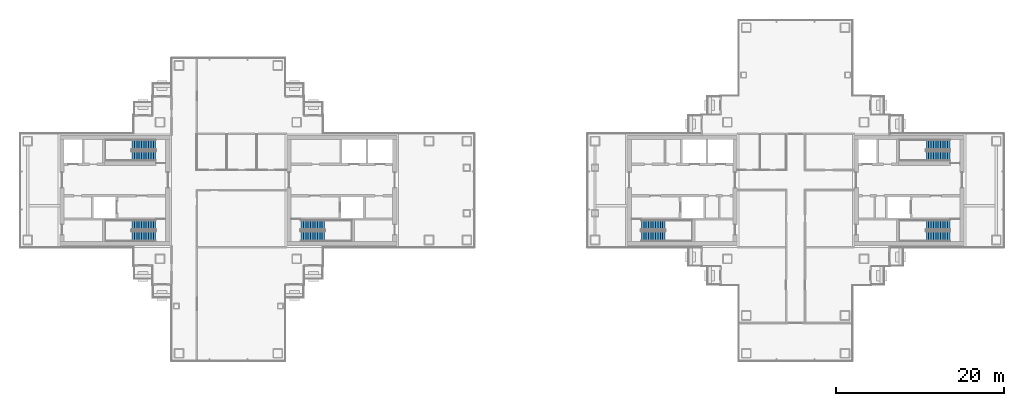
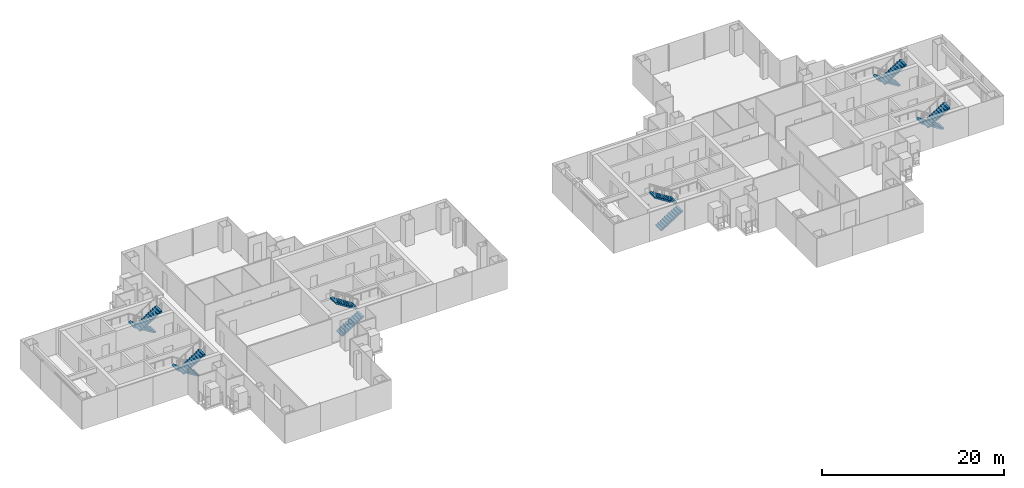
# One storey, part 14 of 17: 12 stair flights, 6 elements without a shape of their own.
"""IFC4 building model written with IfcOpenShell, lengths in metres."""

import ifcopenshell
import ifcopenshell.guid

model = None  # the IFC model being written
_history = None  # IfcOwnerHistory: only IFC2X3 demands one
_inside = {}  # id of a spatial element -> (the spatial element, [elements in it])
_under = {}  # id of a project, library or spatial element -> (it, [spatial elements below it])
_declared = {}  # id of a project -> (the project, [libraries it declares])
_typed = {}  # id of a type object -> (the type object, [elements of that type])
_made_of = {}  # id of a material, layer set ... -> (it, [elements and type objects made of it])


def new_model(schema):
    """Start an empty IFC model of exactly this schema.

    Asked for "IFC4X3", IfcOpenShell would pick the latest addendum, in which some entities
    have other attributes; the version numbers below select the first issue.
    IFC2X3 requires an IfcOwnerHistory on every rooted entity: one is made here for all.
    """
    global model, _history
    if schema == "IFC4X3":
        model = ifcopenshell.file(schema_version=(4, 3, 0, 0))
    else:
        model = ifcopenshell.file(schema=schema)
    _inside.clear()
    _under.clear()
    _declared.clear()
    _typed.clear()
    _made_of.clear()
    _history = None
    if model.schema == "IFC2X3":
        org = make("IfcOrganization", Name="unknown")
        user = make(
            "IfcPersonAndOrganization",
            ThePerson=make("IfcPerson", FamilyName="unknown"),
            TheOrganization=org,
        )
        app = make(
            "IfcApplication",
            ApplicationDeveloper=org,
            Version="unknown",
            ApplicationFullName="unknown",
            ApplicationIdentifier="unknown",
        )
        _history = make(
            "IfcOwnerHistory",
            OwningUser=user,
            OwningApplication=app,
            ChangeAction="ADDED",
            CreationDate=0,
        )
    return model


def make(cls, **values):
    """One entity of the class cls with the attributes given. An attribute that is None is left unset."""
    return model.create_entity(
        cls, **{name: value for name, value in values.items() if value is not None}
    )


def rooted(cls, **values):
    """An entity with a GlobalId (a new one), such as an element, a storey or a relation."""
    return make(cls, GlobalId=ifcopenshell.guid.new(), OwnerHistory=_history, **values)


def si_unit(unit_type, name, prefix=None):
    """IfcSIUnit, for example si_unit("LENGTHUNIT", "METRE", prefix="MILLI")."""
    return make("IfcSIUnit", UnitType=unit_type, Prefix=prefix, Name=name)


def assignment(units):
    """IfcUnitAssignment: the units of a project."""
    return None if units is None else make("IfcUnitAssignment", Units=units)


def point(xyz):
    """IfcCartesianPoint."""
    return None if xyz is None else make("IfcCartesianPoint", Coordinates=xyz)


def direction(xyz):
    """IfcDirection."""
    return None if xyz is None else make("IfcDirection", DirectionRatios=xyz)


def frame(location, z_axis=None, x_axis=None):
    """IfcAxis2Placement3D, a coordinate frame: its origin and axes. An axis left out is left unset."""
    return make(
        "IfcAxis2Placement3D",
        Location=point(location),
        Axis=direction(z_axis),
        RefDirection=direction(x_axis),
    )


def origin():
    """The frame at (0, 0, 0) with its axes left unset."""
    return frame((0.0, 0.0, 0.0))


def place(relative_to, where):
    """IfcLocalPlacement: puts the frame where relative to a parent placement (None: the world)."""
    return make(
        "IfcLocalPlacement", PlacementRelTo=relative_to, RelativePlacement=where
    )


def context(
    kind, dimensions, precision=None, world=None, true_north=None, identifier=None
):
    """IfcGeometricRepresentationContext, for example the 3D "Model" context."""
    return make(
        "IfcGeometricRepresentationContext",
        ContextIdentifier=identifier,
        ContextType=kind,
        CoordinateSpaceDimension=dimensions,
        Precision=precision,
        WorldCoordinateSystem=world,
        TrueNorth=true_north,
    )


def subcontext(parent, identifier, kind, view, scale=None):
    """IfcGeometricRepresentationSubContext, for example "Body" below "Model"."""
    return make(
        "IfcGeometricRepresentationSubContext",
        ContextIdentifier=identifier,
        ContextType=kind,
        ParentContext=parent,
        TargetScale=scale,
        TargetView=view,
    )


def project(units=None, contexts=None):
    """IfcProject with its units and contexts."""
    return rooted(
        "IfcProject",
        Name="project",
        RepresentationContexts=contexts,
        UnitsInContext=assignment(units),
    )


def spatial(cls, under=None, at=None, **own):
    """A site, building, storey or space (cls), placed at a placement, below another one or the project."""
    s = rooted(cls, ObjectPlacement=at, **own)
    if under is not None:
        _under.setdefault(under.id(), (under, []))[1].append(s)
    return s


def polyline(points):
    """IfcPolyline through the points."""
    return make("IfcPolyline", Points=[point(p) for p in points])


def outline(outer, holes=None, kind="AREA"):
    """IfcArbitraryClosedProfileDef: a profile drawn as a closed curve; with holes, ...WithVoids."""
    if holes is None:
        return make("IfcArbitraryClosedProfileDef", ProfileType=kind, OuterCurve=outer)
    return make(
        "IfcArbitraryProfileDefWithVoids",
        ProfileType=kind,
        OuterCurve=outer,
        InnerCurves=holes,
    )


def extrude(swept, where, along, depth):
    """IfcExtrudedAreaSolid: the profile swept, set in the frame where, extruded along a direction by depth."""
    return make(
        "IfcExtrudedAreaSolid",
        SweptArea=swept,
        Position=where,
        ExtrudedDirection=direction(along),
        Depth=depth,
    )


def shape(context_of_items, identifier, shape_type, items):
    """IfcShapeRepresentation: the items that make up one representation, for example the "Body"."""
    return make(
        "IfcShapeRepresentation",
        ContextOfItems=context_of_items,
        RepresentationIdentifier=identifier,
        RepresentationType=shape_type,
        Items=items,
    )


def material(Name=None, Category=None):
    """IfcMaterial."""
    return make("IfcMaterial", Name=Name, Category=Category)


def made_of(thing, what):
    """Note that an element or type object is made of a material, layer set ...; save() writes the relation."""
    if what is not None:
        _made_of.setdefault(what.id(), (what, []))[1].append(thing)
    return thing


def type_object(cls, material=None, **own):
    """A type object (cls), such as IfcWallType, which elements share."""
    return made_of(rooted(cls, **own), material)


def element(
    cls,
    number,
    at=None,
    inside=None,
    cuts=None,
    type_object=None,
    material=None,
    context=None,
    identifier="Body",
    shape_type=None,
    held_by="IfcProductDefinitionShape",
    body=None,
    shapes=None,
    **own,
):
    """One element of the class cls, such as IfcWall. Its Tag is "e" and its number.

    at: its placement. inside: the storey or other place that contains it. cuts: it is an
    opening in that element (IfcRelVoidsElement). A single representation is given by context,
    identifier, shape_type and body (its items); several are given by shapes. held_by: the class
    of the entity that holds the representations. save() writes the other relations.
    """
    e = rooted(cls, Tag="e%d" % number, ObjectPlacement=at, **own)
    if body is not None:
        shapes = [shape(context, identifier, shape_type, body)]
    if shapes is not None:
        e.Representation = make(held_by, Representations=shapes)
    if inside is not None:
        _inside.setdefault(inside.id(), (inside, []))[1].append(e)
    if cuts is not None:
        rooted(
            "IfcRelVoidsElement", RelatingBuildingElement=cuts, RelatedOpeningElement=e
        )
    if type_object is not None:
        _typed.setdefault(type_object.id(), (type_object, []))[1].append(e)
    return made_of(e, material)


def aggregate(whole, parts):
    """IfcRelAggregates: a whole, such as a stair, and the parts it consists of."""
    return rooted("IfcRelAggregates", RelatingObject=whole, RelatedObjects=parts)


def save(model, path):
    """Write the relations noted so far, then the file.

    IfcRelAggregates (storeys below a building ...), IfcRelContainedInSpatialStructure (elements
    in a storey), IfcRelDefinesByType, IfcRelAssociatesMaterial and IfcRelDeclares: one each for
    every whole, place, type object, material and project.
    """
    for whole, parts in _under.values():
        aggregate(whole, parts)
    for where, things in _inside.values():
        rooted(
            "IfcRelContainedInSpatialStructure",
            RelatedElements=things,
            RelatingStructure=where,
        )
    for kind, things in _typed.values():
        rooted("IfcRelDefinesByType", RelatedObjects=things, RelatingType=kind)
    for what, things in _made_of.values():
        rooted("IfcRelAssociatesMaterial", RelatedObjects=things, RelatingMaterial=what)
    for by, libraries in _declared.values():
        rooted("IfcRelDeclares", RelatingContext=by, RelatedDefinitions=libraries)
    model.write(path)


model = new_model("IFC4")

# Units and contexts
model_context = context("Model", 3, precision=1e-05, world=origin(), true_north=direction((0.0, 1.0)))
body_context = subcontext(model_context, "Body", "Model", "MODEL_VIEW")
ifc_project = project(units=[si_unit("LENGTHUNIT", "METRE"), si_unit("AREAUNIT", "SQUARE_METRE"), si_unit("VOLUMEUNIT", "CUBIC_METRE"), si_unit("PLANEANGLEUNIT", "RADIAN"), si_unit("MASSUNIT", "GRAM", prefix="KILO")], contexts=[model_context])

# Site, building, storey
site_placement = place(None, origin())
site = spatial("IfcSite", under=ifc_project, at=site_placement, CompositionType="ELEMENT")
building_placement = place(site_placement, origin())
building = spatial("IfcBuilding", under=site, at=building_placement, Name="Shamsa Quay Exchange Towers", CompositionType="ELEMENT")
storey_placement = place(building_placement, frame((0.0, 0.0, 174.0)))
storey = spatial("IfcBuildingStorey", under=building, at=storey_placement, Name="L41", CompositionType="ELEMENT", Elevation=174.0)

# Stair, stair flights
ifc_material = material(Name="Concrete C40/50", Category="concrete")
stair_type = type_object("IfcStairType", Name="EXIT STAIR 22 RISERS 177 MM", PredefinedType="HALF_TURN_STAIR", material=ifc_material)
stair_1_placement = place(storey_placement, origin())
stair_1 = element("IfcStair", 1, at=stair_1_placement, inside=storey, type_object=stair_type, Name="L41 Exit stair ST1", PredefinedType="HALF_TURN_STAIR")
stair_flight_type = type_object("IfcStairFlightType", Name="EXIT STAIR FLIGHT 11 RISERS 177 MM", PredefinedType="STRAIGHT", material=ifc_material)
stair_flight_1_placement = place(storey_placement, frame((-25.10009765625, -5.449951171875, 0.0)))
stair_flight_1 = element("IfcStairFlight", 2, at=stair_flight_1_placement, type_object=stair_flight_type, Name="ST1 flight 1", NumberOfRisers=11, NumberOfTreads=10, PredefinedType="STRAIGHT", RiserHeight=0.177272727, TreadLength=0.28, context=body_context, shape_type="SweptSolid", body=[
    extrude(outline(polyline([(0.0, 0.0), (0.0, 0.17724609375), (0.280029296875, 0.17724609375), (0.280029296875, 0.3544921875), (0.56005859375, 0.3544921875), (0.56005859375, 0.53173828125), (0.840087890625, 0.53173828125), (0.840087890625, 0.708984375), (1.1201171875, 0.708984375), (1.1201171875, 0.886474609375), (1.39990234375, 0.886474609375), (1.39990234375, 1.063720703125), (1.679931640625, 1.063720703125), (1.679931640625, 1.240966796875), (1.9599609375, 1.240966796875), (1.9599609375, 1.418212890625), (2.239990234375, 1.418212890625), (2.239990234375, 1.595458984375), (2.52001953125, 1.595458984375), (2.52001953125, 1.772705078125), (2.800048828125, 1.772705078125), (2.800048828125, 1.949951171875), (2.800048828125, 1.607177734375), (0.261474609375, 0.0), (0.0, 0.0)])), frame((0.0, 0.60009765625, 0.0), z_axis=(0.0, -1.0, 0.0), x_axis=(1.0, 0.0, 0.0)), (0.0, 0.0, 1.0), 1.199951171875),
])
stair_flight_2_placement = place(storey_placement, frame((-22.300048828125, -4.10009765625, 1.949951171875), z_axis=(0.0, 0.0, 1.0), x_axis=(-1.0, 0.0, 0.0)))
stair_flight_2 = element("IfcStairFlight", 3, at=stair_flight_2_placement, type_object=stair_flight_type, Name="ST1 flight 2", NumberOfRisers=11, NumberOfTreads=10, PredefinedType="STRAIGHT", RiserHeight=0.177272727, TreadLength=0.28, context=body_context, shape_type="SweptSolid", body=[
    extrude(outline(polyline([(0.0, 0.0), (0.0, 0.17724609375), (0.280029296875, 0.17724609375), (0.280029296875, 0.3544921875), (0.56005859375, 0.3544921875), (0.56005859375, 0.53173828125), (0.840087890625, 0.53173828125), (0.840087890625, 0.708984375), (1.1201171875, 0.708984375), (1.1201171875, 0.886474609375), (1.39990234375, 0.886474609375), (1.39990234375, 1.063720703125), (1.679931640625, 1.063720703125), (1.679931640625, 1.240966796875), (1.9599609375, 1.240966796875), (1.9599609375, 1.418212890625), (2.239990234375, 1.418212890625), (2.239990234375, 1.595458984375), (2.52001953125, 1.595458984375), (2.52001953125, 1.772705078125), (2.800048828125, 1.772705078125), (2.800048828125, 1.949951171875), (2.800048828125, 1.607177734375), (0.261474609375, 0.0), (0.0, 0.0)])), frame((0.0, 0.60009765625, 0.0), z_axis=(0.0, -1.0, 0.0), x_axis=(1.0, 0.0, 0.0)), (0.0, 0.0, 1.0), 1.199951171875),
])
aggregate(stair_1, [stair_flight_1, stair_flight_2])

stair_2_placement = place(storey_placement, origin())
stair_2 = element("IfcStair", 4, at=stair_2_placement, inside=storey, type_object=stair_type, Name="L41 Exit stair ST2", PredefinedType="HALF_TURN_STAIR")
stair_flight_3_placement = place(storey_placement, frame((-42.39990234375, -4.10009765625, 0.0), z_axis=(0.0, 0.0, 1.0), x_axis=(-1.0, 0.0, 0.0)))
stair_flight_3 = element("IfcStairFlight", 5, at=stair_flight_3_placement, type_object=stair_flight_type, Name="ST2 flight 1", NumberOfRisers=11, NumberOfTreads=10, PredefinedType="STRAIGHT", RiserHeight=0.177272727, TreadLength=0.28, context=body_context, shape_type="SweptSolid", body=[
    extrude(outline(polyline([(0.0, 0.0), (0.0, 0.17724609375), (0.280029296875, 0.17724609375), (0.280029296875, 0.3544921875), (0.56005859375, 0.3544921875), (0.56005859375, 0.53173828125), (0.840087890625, 0.53173828125), (0.840087890625, 0.708984375), (1.1201171875, 0.708984375), (1.1201171875, 0.886474609375), (1.39990234375, 0.886474609375), (1.39990234375, 1.063720703125), (1.679931640625, 1.063720703125), (1.679931640625, 1.240966796875), (1.9599609375, 1.240966796875), (1.9599609375, 1.418212890625), (2.239990234375, 1.418212890625), (2.239990234375, 1.595458984375), (2.52001953125, 1.595458984375), (2.52001953125, 1.772705078125), (2.800048828125, 1.772705078125), (2.800048828125, 1.949951171875), (2.800048828125, 1.607177734375), (0.261474609375, 0.0), (0.0, 0.0)])), frame((0.0, 0.60009765625, 0.0), z_axis=(0.0, -1.0, 0.0), x_axis=(1.0, 0.0, 0.0)), (0.0, 0.0, 1.0), 1.199951171875),
])
stair_flight_4_placement = place(storey_placement, frame((-45.199951171875, -5.449951171875, 1.949951171875)))
stair_flight_4 = element("IfcStairFlight", 6, at=stair_flight_4_placement, type_object=stair_flight_type, Name="ST2 flight 2", NumberOfRisers=11, NumberOfTreads=10, PredefinedType="STRAIGHT", RiserHeight=0.177272727, TreadLength=0.28, context=body_context, shape_type="SweptSolid", body=[
    extrude(outline(polyline([(0.0, 0.0), (0.0, 0.17724609375), (0.280029296875, 0.17724609375), (0.280029296875, 0.3544921875), (0.56005859375, 0.3544921875), (0.56005859375, 0.53173828125), (0.840087890625, 0.53173828125), (0.840087890625, 0.708984375), (1.1201171875, 0.708984375), (1.1201171875, 0.886474609375), (1.39990234375, 0.886474609375), (1.39990234375, 1.063720703125), (1.679931640625, 1.063720703125), (1.679931640625, 1.240966796875), (1.9599609375, 1.240966796875), (1.9599609375, 1.418212890625), (2.239990234375, 1.418212890625), (2.239990234375, 1.595458984375), (2.52001953125, 1.595458984375), (2.52001953125, 1.772705078125), (2.800048828125, 1.772705078125), (2.800048828125, 1.949951171875), (2.800048828125, 1.607177734375), (0.261474609375, 0.0), (0.0, 0.0)])), frame((0.0, 0.60009765625, 0.0), z_axis=(0.0, -1.0, 0.0), x_axis=(1.0, 0.0, 0.0)), (0.0, 0.0, 1.0), 1.199951171875),
])
aggregate(stair_2, [stair_flight_3, stair_flight_4])

stair_3_placement = place(storey_placement, origin())
stair_3 = element("IfcStair", 7, at=stair_3_placement, inside=storey, type_object=stair_type, Name="L41 Exit stair ST3", PredefinedType="HALF_TURN_STAIR")
stair_flight_5_placement = place(storey_placement, frame((-42.39990234375, 5.449951171875, 0.0), z_axis=(0.0, 0.0, 1.0), x_axis=(-1.0, 0.0, 0.0)))
stair_flight_5 = element("IfcStairFlight", 8, at=stair_flight_5_placement, type_object=stair_flight_type, Name="ST3 flight 1", NumberOfRisers=11, NumberOfTreads=10, PredefinedType="STRAIGHT", RiserHeight=0.177272727, TreadLength=0.28, context=body_context, shape_type="SweptSolid", body=[
    extrude(outline(polyline([(0.0, 0.0), (0.0, 0.17724609375), (0.280029296875, 0.17724609375), (0.280029296875, 0.3544921875), (0.56005859375, 0.3544921875), (0.56005859375, 0.53173828125), (0.840087890625, 0.53173828125), (0.840087890625, 0.708984375), (1.1201171875, 0.708984375), (1.1201171875, 0.886474609375), (1.39990234375, 0.886474609375), (1.39990234375, 1.063720703125), (1.679931640625, 1.063720703125), (1.679931640625, 1.240966796875), (1.9599609375, 1.240966796875), (1.9599609375, 1.418212890625), (2.239990234375, 1.418212890625), (2.239990234375, 1.595458984375), (2.52001953125, 1.595458984375), (2.52001953125, 1.772705078125), (2.800048828125, 1.772705078125), (2.800048828125, 1.949951171875), (2.800048828125, 1.607177734375), (0.261474609375, 0.0), (0.0, 0.0)])), frame((0.0, 0.60009765625, 0.0), z_axis=(0.0, -1.0, 0.0), x_axis=(1.0, 0.0, 0.0)), (0.0, 0.0, 1.0), 1.199951171875),
])
stair_flight_6_placement = place(storey_placement, frame((-45.199951171875, 4.10009765625, 1.949951171875)))
stair_flight_6 = element("IfcStairFlight", 9, at=stair_flight_6_placement, type_object=stair_flight_type, Name="ST3 flight 2", NumberOfRisers=11, NumberOfTreads=10, PredefinedType="STRAIGHT", RiserHeight=0.177272727, TreadLength=0.28, context=body_context, shape_type="SweptSolid", body=[
    extrude(outline(polyline([(0.0, 0.0), (0.0, 0.17724609375), (0.280029296875, 0.17724609375), (0.280029296875, 0.3544921875), (0.56005859375, 0.3544921875), (0.56005859375, 0.53173828125), (0.840087890625, 0.53173828125), (0.840087890625, 0.708984375), (1.1201171875, 0.708984375), (1.1201171875, 0.886474609375), (1.39990234375, 0.886474609375), (1.39990234375, 1.063720703125), (1.679931640625, 1.063720703125), (1.679931640625, 1.240966796875), (1.9599609375, 1.240966796875), (1.9599609375, 1.418212890625), (2.239990234375, 1.418212890625), (2.239990234375, 1.595458984375), (2.52001953125, 1.595458984375), (2.52001953125, 1.772705078125), (2.800048828125, 1.772705078125), (2.800048828125, 1.949951171875), (2.800048828125, 1.607177734375), (0.261474609375, 0.0), (0.0, 0.0)])), frame((0.0, 0.60009765625, 0.0), z_axis=(0.0, -1.0, 0.0), x_axis=(1.0, 0.0, 0.0)), (0.0, 0.0, 1.0), 1.199951171875),
])
aggregate(stair_3, [stair_flight_5, stair_flight_6])

stair_4_placement = place(storey_placement, origin())
stair_4 = element("IfcStair", 10, at=stair_4_placement, inside=storey, type_object=stair_type, Name="L41 Exit stair ST4", PredefinedType="HALF_TURN_STAIR")
stair_flight_7_placement = place(storey_placement, frame((15.39990234375, -5.449951171875, 0.0)))
stair_flight_7 = element("IfcStairFlight", 11, at=stair_flight_7_placement, type_object=stair_flight_type, Name="ST4 flight 1", NumberOfRisers=11, NumberOfTreads=10, PredefinedType="STRAIGHT", RiserHeight=0.177272727, TreadLength=0.28, context=body_context, shape_type="SweptSolid", body=[
    extrude(outline(polyline([(0.0, 0.0), (0.0, 0.17724609375), (0.280029296875, 0.17724609375), (0.280029296875, 0.3544921875), (0.56005859375, 0.3544921875), (0.56005859375, 0.53173828125), (0.840087890625, 0.53173828125), (0.840087890625, 0.708984375), (1.1201171875, 0.708984375), (1.1201171875, 0.886474609375), (1.39990234375, 0.886474609375), (1.39990234375, 1.063720703125), (1.679931640625, 1.063720703125), (1.679931640625, 1.240966796875), (1.9599609375, 1.240966796875), (1.9599609375, 1.418212890625), (2.239990234375, 1.418212890625), (2.239990234375, 1.595458984375), (2.52001953125, 1.595458984375), (2.52001953125, 1.772705078125), (2.800048828125, 1.772705078125), (2.800048828125, 1.949951171875), (2.800048828125, 1.607177734375), (0.261474609375, 0.0), (0.0, 0.0)])), frame((0.0, 0.60009765625, 0.0), z_axis=(0.0, -1.0, 0.0), x_axis=(1.0, 0.0, 0.0)), (0.0, 0.0, 1.0), 1.199951171875),
])
stair_flight_8_placement = place(storey_placement, frame((18.199951171875, -4.10009765625, 1.949951171875), z_axis=(0.0, 0.0, 1.0), x_axis=(-1.0, 0.0, 0.0)))
stair_flight_8 = element("IfcStairFlight", 12, at=stair_flight_8_placement, type_object=stair_flight_type, Name="ST4 flight 2", NumberOfRisers=11, NumberOfTreads=10, PredefinedType="STRAIGHT", RiserHeight=0.177272727, TreadLength=0.28, context=body_context, shape_type="SweptSolid", body=[
    extrude(outline(polyline([(0.0, 0.0), (0.0, 0.17724609375), (0.280029296875, 0.17724609375), (0.280029296875, 0.3544921875), (0.56005859375, 0.3544921875), (0.56005859375, 0.53173828125), (0.840087890625, 0.53173828125), (0.840087890625, 0.708984375), (1.1201171875, 0.708984375), (1.1201171875, 0.886474609375), (1.39990234375, 0.886474609375), (1.39990234375, 1.063720703125), (1.679931640625, 1.063720703125), (1.679931640625, 1.240966796875), (1.9599609375, 1.240966796875), (1.9599609375, 1.418212890625), (2.239990234375, 1.418212890625), (2.239990234375, 1.595458984375), (2.52001953125, 1.595458984375), (2.52001953125, 1.772705078125), (2.800048828125, 1.772705078125), (2.800048828125, 1.949951171875), (2.800048828125, 1.607177734375), (0.261474609375, 0.0), (0.0, 0.0)])), frame((0.0, 0.60009765625, 0.0), z_axis=(0.0, -1.0, 0.0), x_axis=(1.0, 0.0, 0.0)), (0.0, 0.0, 1.0), 1.199951171875),
])
aggregate(stair_4, [stair_flight_7, stair_flight_8])

stair_5_placement = place(storey_placement, origin())
stair_5 = element("IfcStair", 13, at=stair_5_placement, inside=storey, type_object=stair_type, Name="L41 Exit stair ST5", PredefinedType="HALF_TURN_STAIR")
stair_flight_9_placement = place(storey_placement, frame((52.10009765625, -4.10009765625, 0.0), z_axis=(0.0, 0.0, 1.0), x_axis=(-1.0, 0.0, 0.0)))
stair_flight_9 = element("IfcStairFlight", 14, at=stair_flight_9_placement, type_object=stair_flight_type, Name="ST5 flight 1", NumberOfRisers=11, NumberOfTreads=10, PredefinedType="STRAIGHT", RiserHeight=0.177272727, TreadLength=0.28, context=body_context, shape_type="SweptSolid", body=[
    extrude(outline(polyline([(0.0, 0.0), (0.0, 0.17724609375), (0.280029296875, 0.17724609375), (0.280029296875, 0.3544921875), (0.56005859375, 0.3544921875), (0.56005859375, 0.53173828125), (0.840087890625, 0.53173828125), (0.840087890625, 0.708984375), (1.1201171875, 0.708984375), (1.1201171875, 0.886474609375), (1.39990234375, 0.886474609375), (1.39990234375, 1.063720703125), (1.679931640625, 1.063720703125), (1.679931640625, 1.240966796875), (1.9599609375, 1.240966796875), (1.9599609375, 1.418212890625), (2.239990234375, 1.418212890625), (2.239990234375, 1.595458984375), (2.52001953125, 1.595458984375), (2.52001953125, 1.772705078125), (2.800048828125, 1.772705078125), (2.800048828125, 1.949951171875), (2.800048828125, 1.607177734375), (0.261474609375, 0.0), (0.0, 0.0)])), frame((0.0, 0.60009765625, 0.0), z_axis=(0.0, -1.0, 0.0), x_axis=(1.0, 0.0, 0.0)), (0.0, 0.0, 1.0), 1.199951171875),
])
stair_flight_10_placement = place(storey_placement, frame((49.300048828125, -5.449951171875, 1.949951171875)))
stair_flight_10 = element("IfcStairFlight", 15, at=stair_flight_10_placement, type_object=stair_flight_type, Name="ST5 flight 2", NumberOfRisers=11, NumberOfTreads=10, PredefinedType="STRAIGHT", RiserHeight=0.177272727, TreadLength=0.28, context=body_context, shape_type="SweptSolid", body=[
    extrude(outline(polyline([(0.0, 0.0), (0.0, 0.17724609375), (0.280029296875, 0.17724609375), (0.280029296875, 0.3544921875), (0.56005859375, 0.3544921875), (0.56005859375, 0.53173828125), (0.840087890625, 0.53173828125), (0.840087890625, 0.708984375), (1.1201171875, 0.708984375), (1.1201171875, 0.886474609375), (1.39990234375, 0.886474609375), (1.39990234375, 1.063720703125), (1.679931640625, 1.063720703125), (1.679931640625, 1.240966796875), (1.9599609375, 1.240966796875), (1.9599609375, 1.418212890625), (2.239990234375, 1.418212890625), (2.239990234375, 1.595458984375), (2.52001953125, 1.595458984375), (2.52001953125, 1.772705078125), (2.800048828125, 1.772705078125), (2.800048828125, 1.949951171875), (2.800048828125, 1.607177734375), (0.261474609375, 0.0), (0.0, 0.0)])), frame((0.0, 0.60009765625, 0.0), z_axis=(0.0, -1.0, 0.0), x_axis=(1.0, 0.0, 0.0)), (0.0, 0.0, 1.0), 1.199951171875),
])
aggregate(stair_5, [stair_flight_9, stair_flight_10])

stair_6_placement = place(storey_placement, origin())
stair_6 = element("IfcStair", 16, at=stair_6_placement, inside=storey, type_object=stair_type, Name="L41 Exit stair ST6", PredefinedType="HALF_TURN_STAIR")
stair_flight_11_placement = place(storey_placement, frame((52.10009765625, 5.449951171875, 0.0), z_axis=(0.0, 0.0, 1.0), x_axis=(-1.0, 0.0, 0.0)))
stair_flight_11 = element("IfcStairFlight", 17, at=stair_flight_11_placement, type_object=stair_flight_type, Name="ST6 flight 1", NumberOfRisers=11, NumberOfTreads=10, PredefinedType="STRAIGHT", RiserHeight=0.177272727, TreadLength=0.28, context=body_context, shape_type="SweptSolid", body=[
    extrude(outline(polyline([(0.0, 0.0), (0.0, 0.17724609375), (0.280029296875, 0.17724609375), (0.280029296875, 0.3544921875), (0.56005859375, 0.3544921875), (0.56005859375, 0.53173828125), (0.840087890625, 0.53173828125), (0.840087890625, 0.708984375), (1.1201171875, 0.708984375), (1.1201171875, 0.886474609375), (1.39990234375, 0.886474609375), (1.39990234375, 1.063720703125), (1.679931640625, 1.063720703125), (1.679931640625, 1.240966796875), (1.9599609375, 1.240966796875), (1.9599609375, 1.418212890625), (2.239990234375, 1.418212890625), (2.239990234375, 1.595458984375), (2.52001953125, 1.595458984375), (2.52001953125, 1.772705078125), (2.800048828125, 1.772705078125), (2.800048828125, 1.949951171875), (2.800048828125, 1.607177734375), (0.261474609375, 0.0), (0.0, 0.0)])), frame((0.0, 0.60009765625, 0.0), z_axis=(0.0, -1.0, 0.0), x_axis=(1.0, 0.0, 0.0)), (0.0, 0.0, 1.0), 1.199951171875),
])
stair_flight_12_placement = place(storey_placement, frame((49.300048828125, 4.10009765625, 1.949951171875)))
stair_flight_12 = element("IfcStairFlight", 18, at=stair_flight_12_placement, type_object=stair_flight_type, Name="ST6 flight 2", NumberOfRisers=11, NumberOfTreads=10, PredefinedType="STRAIGHT", RiserHeight=0.177272727, TreadLength=0.28, context=body_context, shape_type="SweptSolid", body=[
    extrude(outline(polyline([(0.0, 0.0), (0.0, 0.17724609375), (0.280029296875, 0.17724609375), (0.280029296875, 0.3544921875), (0.56005859375, 0.3544921875), (0.56005859375, 0.53173828125), (0.840087890625, 0.53173828125), (0.840087890625, 0.708984375), (1.1201171875, 0.708984375), (1.1201171875, 0.886474609375), (1.39990234375, 0.886474609375), (1.39990234375, 1.063720703125), (1.679931640625, 1.063720703125), (1.679931640625, 1.240966796875), (1.9599609375, 1.240966796875), (1.9599609375, 1.418212890625), (2.239990234375, 1.418212890625), (2.239990234375, 1.595458984375), (2.52001953125, 1.595458984375), (2.52001953125, 1.772705078125), (2.800048828125, 1.772705078125), (2.800048828125, 1.949951171875), (2.800048828125, 1.607177734375), (0.261474609375, 0.0), (0.0, 0.0)])), frame((0.0, 0.60009765625, 0.0), z_axis=(0.0, -1.0, 0.0), x_axis=(1.0, 0.0, 0.0)), (0.0, 0.0, 1.0), 1.199951171875),
])
aggregate(stair_6, [stair_flight_11, stair_flight_12])

save(model, "model.ifc")
